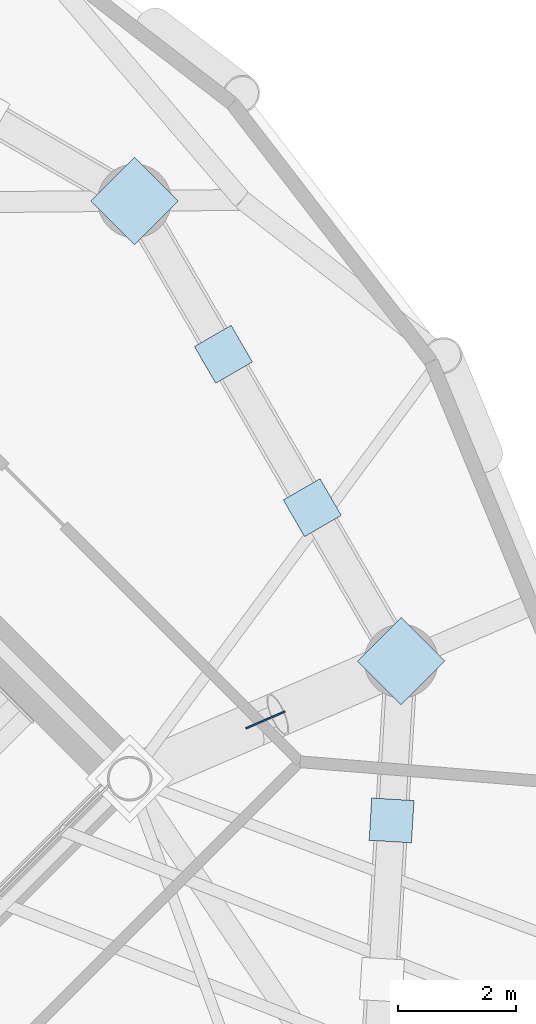
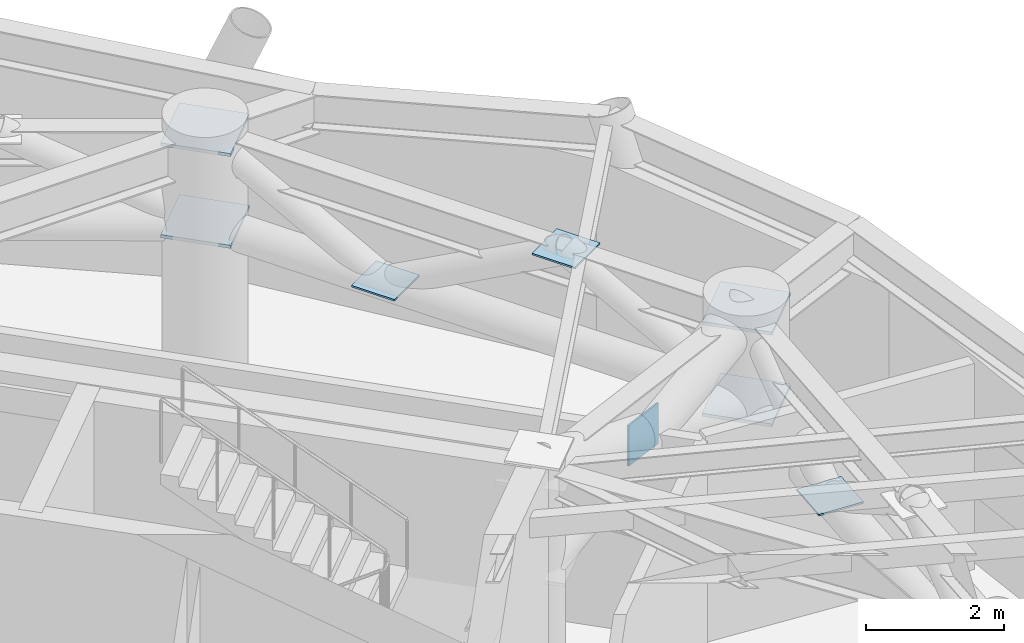
# One storey, part 9 of 16: 8 plates.
"""IFC4 building model written with IfcOpenShell, lengths in metres."""

from ifc_helpers import new_model, si_unit, direction, frame, origin, origin_2d, place, context, subcontext, project, spatial, rectangle, extrude, source, transform, mapped, material, layer, layer_set, type_object, element, save


model = new_model("IFC4")

# Units and contexts
model_context = context("Model", 3, precision=1e-05, world=origin(), true_north=direction((0.0, 1.0)))
body_context = subcontext(model_context, "Body", "Model", "MODEL_VIEW")
ifc_project = project(units=[si_unit("LENGTHUNIT", "METRE"), si_unit("AREAUNIT", "SQUARE_METRE"), si_unit("VOLUMEUNIT", "CUBIC_METRE"), si_unit("PLANEANGLEUNIT", "RADIAN"), si_unit("MASSUNIT", "GRAM", prefix="KILO")], contexts=[model_context])

# Site, building, storey
site_placement = place(None, origin())
site = spatial("IfcSite", under=ifc_project, at=site_placement, CompositionType="ELEMENT")
building_placement = place(site_placement, origin())
building = spatial("IfcBuilding", under=site, at=building_placement, Name="Cununo Teusaquillo Station Towers", CompositionType="ELEMENT")
storey_placement = place(building_placement, frame((0.0, 0.0, 147.10009765625)))
storey = spatial("IfcBuildingStorey", under=building, at=storey_placement, Name="L46", CompositionType="ELEMENT", Elevation=147.10009765625)

# Plates
ifc_material_1 = material(Name="Steel ASTM A572 Grade 50", Category="steel")
ifc_layer_1 = layer(ifc_material_1, 0.030029296875)
ifc_layer_set_1 = layer_set([ifc_layer_1], Name="Steel ASTM A572 Grade 50")
plate_type_1 = type_object("IfcPlateType", Name="PLT-NODE-XBR", PredefinedType="USERDEFINED", material=ifc_layer_set_1)
shared_shape_1 = source(origin(), body_context, "Body", "SweptSolid", [
    extrude(rectangle(XDim=0.719970703125, YDim=0.030029296875, at=origin_2d()), origin(), (0.0, 0.0, 1.0), 0.719970703125),
])
plate_placement = place(storey_placement, frame((68.32958984375, 24.292724609375, 3.02978515625), z_axis=(0.0, 0.0, 1.0), x_axis=(0.917685296323, 0.397308062984, 0.0)))
element("IfcPlate", 1, at=plate_placement, inside=storey, type_object=plate_type_1, Name="L46 Tower B Outrigger X-Crossing Gusset XBP1 4", ObjectType="GUSSET PLATE", PredefinedType="USERDEFINED", context=body_context, shape_type="MappedRepresentation", body=[
    mapped(shared_shape_1, transform((0.0, 0.0, 0.0), x_axis=(1.0, 0.0, 0.0), y_axis=(0.0, 1.0, 0.0), z_axis=(0.0, 0.0, 1.0), scale=1.0)),
])
ifc_material_2 = material(Name="Steel ASTM A572 Grade 50", Category="steel")
ifc_layer_2 = layer(ifc_material_2, 0.054931640625)
ifc_layer_set_2 = layer_set([ifc_layer_2], Name="Steel ASTM A572 Grade 50")
plate_type_2 = type_object("IfcPlateType", Name="PLT-NODE-OTN1", PredefinedType="USERDEFINED", material=ifc_layer_set_2)
shared_shape_2 = source(origin(), body_context, "Body", "SweptSolid", [
    extrude(rectangle(XDim=1.050048828125, YDim=1.050048828125, at=origin_2d()), origin(), (0.0, 0.0, 1.0), 0.054931640625),
])
for number, where, z_axis, x_axis, name in (
    (2, (66.10693359375, 33.10693359375, 2.55224609375), (0.0, 0.0, 1.0), (0.707106781187, 0.707106781187, 0.0), "L46 Tower B Belt Truss Column Gusset 01B"),
    (3, (66.10693359375, 33.10693359375, 4.17236328125), (0.0, 0.0, 1.0), (0.707106781187, 0.707106781187, 0.0), "L46 Tower B Belt Truss Column Gusset 01T"),
    (4, (70.63525390625, 25.291015625, 2.55224609375), (0.0, 0.0, 1.0), (0.707106781187, 0.707106781187, 0.0), "L46 Tower B Belt Truss Column Gusset 10B"),
    (5, (70.63525390625, 25.291015625, 4.17236328125), (0.0, 0.0, 1.0), (0.707106781187, 0.707106781187, 0.0), "L46 Tower B Belt Truss Column Gusset 10T"),
):
    element("IfcPlate", number, at=place(storey_placement, frame(where, z_axis=z_axis, x_axis=x_axis)), inside=storey, type_object=plate_type_2, Name=name, ObjectType="GUSSET PLATE", PredefinedType="USERDEFINED", context=body_context, shape_type="MappedRepresentation", body=[
        mapped(shared_shape_2, transform((0.0, 0.0, 0.0), x_axis=(1.0, 0.0, 0.0), y_axis=(0.0, 1.0, 0.0), z_axis=(0.0, 0.0, 1.0), scale=1.0)),
    ])
shared_shape_3 = source(origin(), body_context, "Body", "SweptSolid", [
    extrude(rectangle(XDim=0.719970703125, YDim=0.719970703125, at=origin_2d()), origin(), (0.0, 0.0, 1.0), 0.030029296875),
])
for number, where, z_axis, x_axis, name in (
    (6, (70.47216796875, 22.585205078125, 2.56494140625), (0.0, 0.0, 1.0), (0.060177479469, 0.998187693254, 0.0), "L46 Tower B Belt Web Node Gusset XBP1 09B2"),
    (7, (69.125732421875, 27.896484375, 4.18505859375), (0.0, 0.0, 1.0), (-0.501359732114, 0.865238937528, 0.0), "L46 Tower B Belt Web Node Gusset XBP1 10T1"),
    (8, (67.616455078125, 30.501708984375, 2.56494140625), (0.0, 0.0, 1.0), (-0.501359732114, 0.865238937528, 0.0), "L46 Tower B Belt Web Node Gusset XBP1 10B2"),
):
    element("IfcPlate", number, at=place(storey_placement, frame(where, z_axis=z_axis, x_axis=x_axis)), inside=storey, type_object=plate_type_1, Name=name, ObjectType="GUSSET PLATE", PredefinedType="USERDEFINED", context=body_context, shape_type="MappedRepresentation", body=[
        mapped(shared_shape_3, transform((0.0, 0.0, 0.0), x_axis=(1.0, 0.0, 0.0), y_axis=(0.0, 1.0, 0.0), z_axis=(0.0, 0.0, 1.0), scale=1.0)),
    ])

save(model, "model.ifc")
